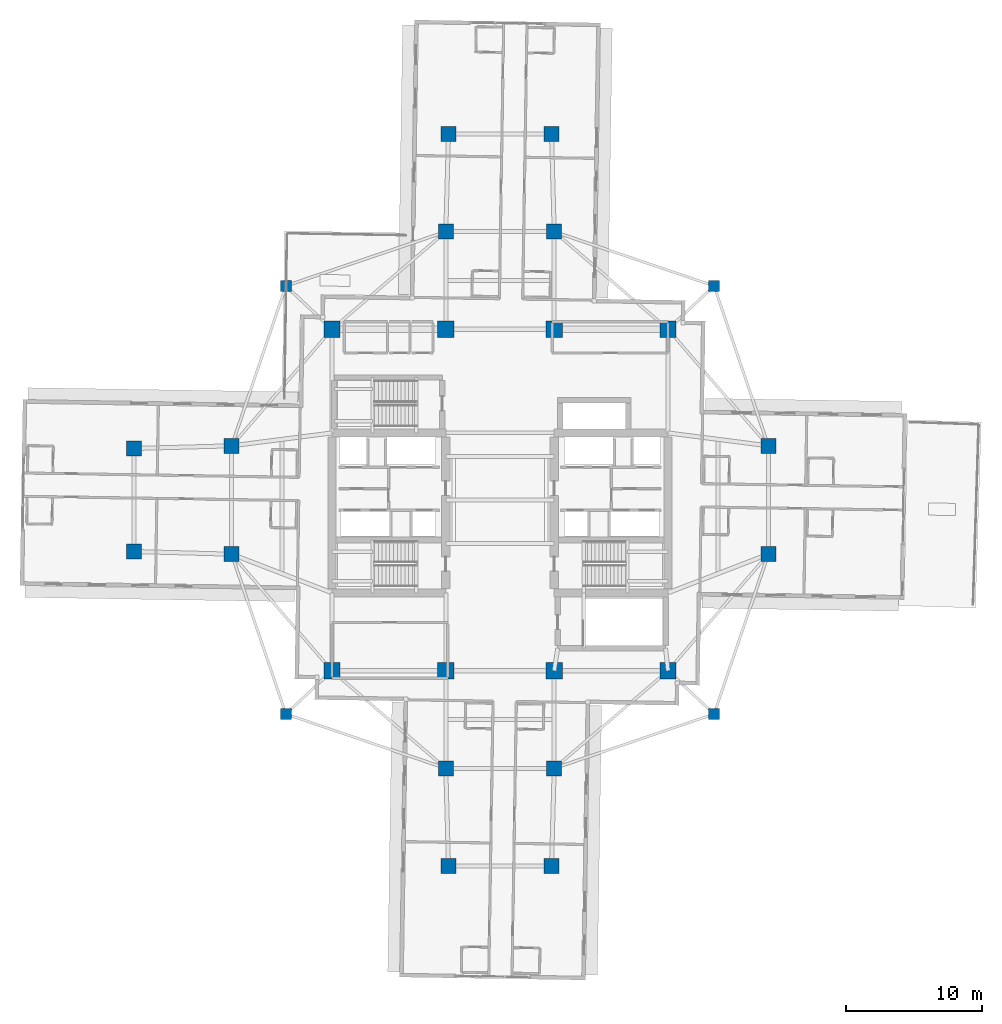
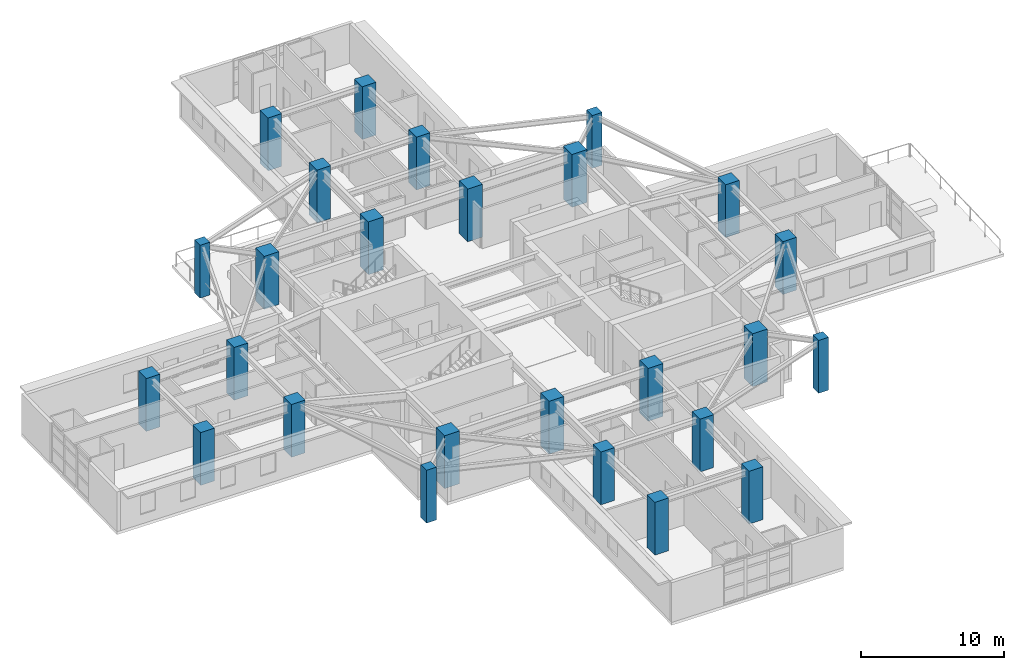
# One storey, part 1 of 22: 26 columns.
"""IFC4 building model written with IfcOpenShell, lengths in metres."""

from ifc_helpers import new_model, si_unit, direction, frame, origin, origin_2d, place, context, subcontext, project, spatial, rectangle, extrude, material, material_profile, profile_set, type_object, element, save


model = new_model("IFC4")

# Units and contexts
model_context = context("Model", 3, precision=1e-05, world=origin(), true_north=direction((0.0, 1.0)))
body_context = subcontext(model_context, "Body", "Model", "MODEL_VIEW")
ifc_project = project(units=[si_unit("LENGTHUNIT", "METRE"), si_unit("AREAUNIT", "SQUARE_METRE"), si_unit("VOLUMEUNIT", "CUBIC_METRE"), si_unit("PLANEANGLEUNIT", "RADIAN"), si_unit("MASSUNIT", "GRAM", prefix="KILO")], contexts=[model_context])

# Site, building, storey
site_placement = place(None, origin())
site = spatial("IfcSite", under=ifc_project, at=site_placement, CompositionType="ELEMENT")
building_placement = place(site_placement, origin())
building = spatial("IfcBuilding", under=site, at=building_placement, Name="Qingluan Cross Belvedere", CompositionType="ELEMENT")
storey_placement = place(building_placement, frame((0.0, 0.0, 100.199951171875)))
storey = spatial("IfcBuildingStorey", under=building, at=storey_placement, Name="L25", CompositionType="ELEMENT", Elevation=100.199951171875)

# Columns
ifc_material_1 = material(Name="Concrete C60", Category="concrete")
ifc_material_profile_1 = material_profile(ifc_material_1, rectangle(XDim=1.10009765625, YDim=1.10009765625, at=origin_2d()), Name="RC1100x1100")
ifc_profile_set_1 = profile_set([ifc_material_profile_1], Name="Concrete C60")
column_type_1 = type_object("IfcColumnType", Name="Column_RC1100x1100", PredefinedType="COLUMN", material=ifc_profile_set_1)
for number, where, z_axis, x_axis, name in (
    (1, (19.800048828125, -4.0, 0.0), (0.0, 0.0, 1.0), (1.0, 0.0, 0.0), "Arm column L25-EIA"),
    (2, (19.800048828125, 4.0, 0.0), (0.0, 0.0, 1.0), (1.0, 0.0, 0.0), "Arm column L25-EIB"),
    (3, (-19.800048828125, -4.0, 0.0), (0.0, 0.0, 1.0), (1.0, 0.0, 0.0), "Arm column L25-WIA"),
    (4, (-19.800048828125, 4.0, 0.0), (0.0, 0.0, 1.0), (1.0, 0.0, 0.0), "Arm column L25-WIB"),
    (5, (-4.0, -19.800048828125, 0.0), (0.0, 0.0, 1.0), (1.0, 0.0, 0.0), "Arm column L25-SIA"),
    (6, (4.0, -19.800048828125, 0.0), (0.0, 0.0, 1.0), (1.0, 0.0, 0.0), "Arm column L25-SIB"),
    (7, (-4.0, 19.800048828125, 0.0), (0.0, 0.0, 1.0), (1.0, 0.0, 0.0), "Arm column L25-NIA"),
    (8, (4.0, 19.800048828125, 0.0), (0.0, 0.0, 1.0), (1.0, 0.0, 0.0), "Arm column L25-NIB"),
    (9, (-27.0, -3.800048828125, 0.0), (0.0, 0.0, 1.0), (1.0, 0.0, 0.0), "Arm column L25-WOA"),
    (10, (-27.0, 3.800048828125, 0.0), (0.0, 0.0, 1.0), (1.0, 0.0, 0.0), "Arm column L25-WOB"),
    (11, (-3.800048828125, -27.0, 0.0), (0.0, 0.0, 1.0), (1.0, 0.0, 0.0), "Arm column L25-SOA"),
    (12, (3.800048828125, -27.0, 0.0), (0.0, 0.0, 1.0), (1.0, 0.0, 0.0), "Arm column L25-SOB"),
    (13, (-3.800048828125, 27.0, 0.0), (0.0, 0.0, 1.0), (1.0, 0.0, 0.0), "Arm column L25-NOA"),
    (14, (3.800048828125, 27.0, 0.0), (0.0, 0.0, 1.0), (1.0, 0.0, 0.0), "Arm column L25-NOB"),
):
    element("IfcColumn", number, at=place(storey_placement, frame(where, z_axis=z_axis, x_axis=x_axis)), inside=storey, type_object=column_type_1, Name=name, PredefinedType="COLUMN", context=body_context, shape_type="SweptSolid", body=[
        extrude(rectangle(XDim=1.10009765625, YDim=1.10009765625, at=origin_2d()), origin(), (0.0, 0.0, 1.0), 4.5),
    ])
ifc_material_2 = material(Name="Concrete C60", Category="concrete")
ifc_material_profile_2 = material_profile(ifc_material_2, rectangle(XDim=1.199951171875, YDim=1.199951171875, at=origin_2d()), Name="RC1200x1200")
ifc_profile_set_2 = profile_set([ifc_material_profile_2], Name="Concrete C60")
column_type_2 = type_object("IfcColumnType", Name="Column_RC1200x1200", PredefinedType="COLUMN", material=ifc_profile_set_2)
for number, where, z_axis, x_axis, name in (
    (15, (-12.39990234375, -12.60009765625, 0.0), (0.0, 0.0, 1.0), (1.0, 0.0, 0.0), "Hub column L25-HC1"),
    (16, (12.39990234375, -12.60009765625, 0.0), (0.0, 0.0, 1.0), (1.0, 0.0, 0.0), "Hub column L25-HC2"),
    (17, (12.39990234375, 12.60009765625, 0.0), (0.0, 0.0, 1.0), (1.0, 0.0, 0.0), "Hub column L25-HC3"),
    (18, (-12.39990234375, 12.60009765625, 0.0), (0.0, 0.0, 1.0), (1.0, 0.0, 0.0), "Hub column L25-HC4"),
    (19, (-4.0, -12.60009765625, 0.0), (0.0, 0.0, 1.0), (1.0, 0.0, 0.0), "Hub column L25-HC5"),
    (20, (4.0, -12.60009765625, 0.0), (0.0, 0.0, 1.0), (1.0, 0.0, 0.0), "Hub column L25-HC6"),
    (21, (4.0, 12.60009765625, 0.0), (0.0, 0.0, 1.0), (1.0, 0.0, 0.0), "Hub column L25-HC7"),
    (22, (-4.0, 12.60009765625, 0.0), (0.0, 0.0, 1.0), (1.0, 0.0, 0.0), "Hub column L25-HC8"),
):
    element("IfcColumn", number, at=place(storey_placement, frame(where, z_axis=z_axis, x_axis=x_axis)), inside=storey, type_object=column_type_2, Name=name, PredefinedType="COLUMN", context=body_context, shape_type="SweptSolid", body=[
        extrude(rectangle(XDim=1.199951171875, YDim=1.199951171875, at=origin_2d()), origin(), (0.0, 0.0, 1.0), 4.5),
    ])
ifc_material_3 = material(Name="Concrete C50", Category="concrete")
ifc_material_profile_3 = material_profile(ifc_material_3, rectangle(XDim=0.800048828125, YDim=0.800048828125, at=origin_2d()), Name="RC800x800")
ifc_profile_set_3 = profile_set([ifc_material_profile_3], Name="Concrete C50")
column_type_3 = type_object("IfcColumnType", Name="Column_RC800x800", PredefinedType="COLUMN", material=ifc_profile_set_3)
for number, where, z_axis, x_axis, name in (
    (23, (15.800048828125, 15.800048828125, 0.0), (0.0, 0.0, 1.0), (1.0, 0.0, 0.0), "Corner column L25-RNE"),
    (24, (-15.800048828125, 15.800048828125, 0.0), (0.0, 0.0, 1.0), (1.0, 0.0, 0.0), "Corner column L25-RNW"),
    (25, (-15.800048828125, -15.800048828125, 0.0), (0.0, 0.0, 1.0), (1.0, 0.0, 0.0), "Corner column L25-RSW"),
    (26, (15.800048828125, -15.800048828125, 0.0), (0.0, 0.0, 1.0), (1.0, 0.0, 0.0), "Corner column L25-RSE"),
):
    element("IfcColumn", number, at=place(storey_placement, frame(where, z_axis=z_axis, x_axis=x_axis)), inside=storey, type_object=column_type_3, Name=name, PredefinedType="COLUMN", context=body_context, shape_type="SweptSolid", body=[
        extrude(rectangle(XDim=0.800048828125, YDim=0.800048828125, at=origin_2d()), origin(), (0.0, 0.0, 1.0), 4.5),
    ])

save(model, "model.ifc")
